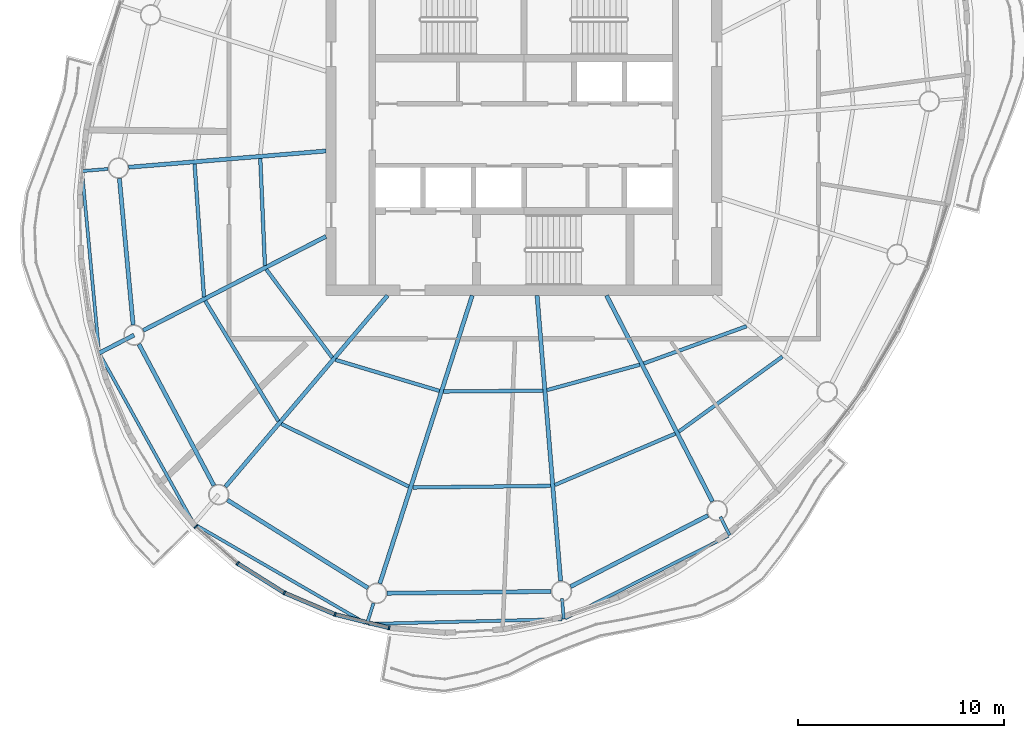
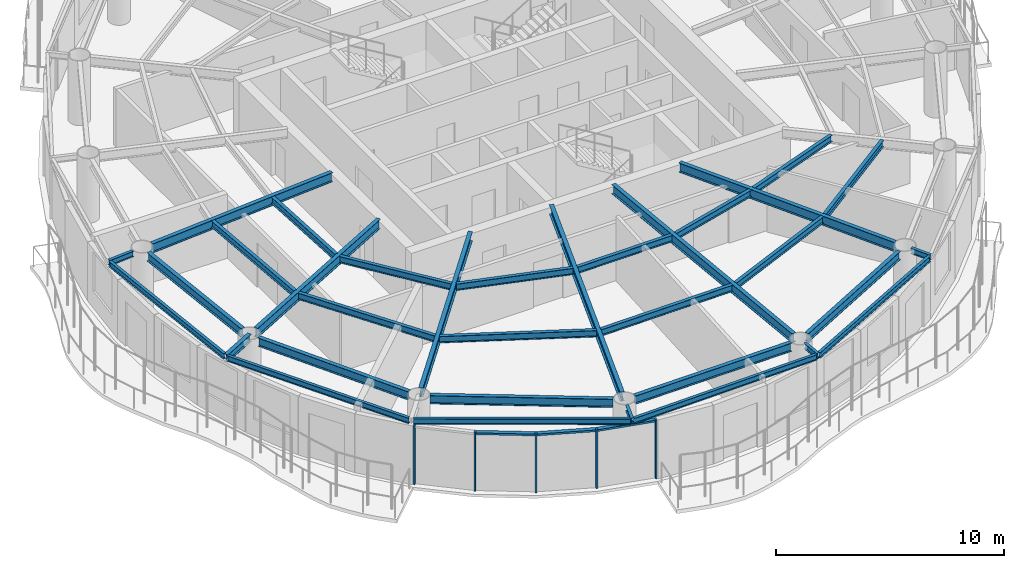
# One storey, part 2 of 13: 33 beams, 8 members, 4 elements without a shape of their own.
"""IFC4 building model written with IfcOpenShell, lengths in metres."""

from ifc_helpers import new_model, si_unit, direction, frame, origin, origin_2d, place, context, subcontext, project, spatial, rectangle, i_section, extrude, material, material_profile, profile_set, type_object, element, aggregate, save


model = new_model("IFC4")

# Units and contexts
model_context = context("Model", 3, precision=1e-05, world=origin(), true_north=direction((0.0, 1.0)))
body_context = subcontext(model_context, "Body", "Model", "MODEL_VIEW")
ifc_project = project(units=[si_unit("LENGTHUNIT", "METRE"), si_unit("AREAUNIT", "SQUARE_METRE"), si_unit("VOLUMEUNIT", "CUBIC_METRE"), si_unit("PLANEANGLEUNIT", "RADIAN"), si_unit("MASSUNIT", "GRAM", prefix="KILO")], contexts=[model_context])

# Site, building, storey
site_placement = place(None, origin())
site = spatial("IfcSite", under=ifc_project, at=site_placement, CompositionType="ELEMENT")
building_placement = place(site_placement, origin())
building = spatial("IfcBuilding", under=site, at=building_placement, Name="Vermilion Reach Broadcast Tower", CompositionType="ELEMENT")
storey_placement = place(building_placement, frame((0.0, 0.0, 282.89990234375)))
storey = spatial("IfcBuildingStorey", under=building, at=storey_placement, Name="L70", CompositionType="ELEMENT", Elevation=282.89990234375)

# Beams
ifc_material_1 = material(Name="Steel S355J2", Category="steel")
ifc_material_profile_1 = material_profile(ifc_material_1, i_section(OverallWidth=0.14990234375, OverallDepth=0.300048828125, WebThickness=0.006591796875, FlangeThickness=0.009033203125, at=origin_2d()), Name="S355J2 HN 300x150x6.5x9")
ifc_profile_set_1 = profile_set([ifc_material_profile_1], Name="Steel S355J2")
beam_type_1 = type_object("IfcBeamType", Name="EB5 HN 300x150x6.5x9", PredefinedType="BEAM", material=ifc_profile_set_1)
beam_1_placement = place(storey_placement, frame((-27.425048828125, -1.840576171875, 3.300048828125), z_axis=(0.093864221335, -0.995585007899, 0.0), x_axis=(0.995585007899, 0.093864221335, 0.0)))
element("IfcBeam", 1, at=beam_1_placement, inside=storey, type_object=beam_type_1, Name="Edge beam EB5-06", PredefinedType="BEAM", context=body_context, shape_type="SweptSolid", body=[
    extrude(i_section(OverallWidth=0.14990234375, OverallDepth=0.300048828125, WebThickness=0.006591796875, FlangeThickness=0.009033203125, at=origin_2d()), origin(), (0.0, 0.0, 1.0), 8.68212890625),
])
beam_2_placement = place(storey_placement, frame((-26.551513671875, -10.678955078125, 3.300048828125), z_axis=(0.485030027465, -0.874497497113, 0.0), x_axis=(0.874497497113, 0.485030027465, 0.0)))
element("IfcBeam", 2, at=beam_2_placement, inside=storey, type_object=beam_type_1, Name="Edge beam EB5-07", PredefinedType="BEAM", context=body_context, shape_type="SweptSolid", body=[
    extrude(i_section(OverallWidth=0.14990234375, OverallDepth=0.300048828125, WebThickness=0.006591796875, FlangeThickness=0.009033203125, at=origin_2d()), origin(), (0.0, 0.0, 1.0), 9.268798828125),
])
beam_3_placement = place(storey_placement, frame((-21.916015625, -18.928955078125, 3.300048828125), z_axis=(0.865591978753, -0.500749963872, 0.0), x_axis=(0.500749963872, 0.865591978753, 0.0)))
element("IfcBeam", 3, at=beam_3_placement, inside=storey, type_object=beam_type_1, Name="Edge beam EB5-08", PredefinedType="BEAM", context=body_context, shape_type="SweptSolid", body=[
    extrude(i_section(OverallWidth=0.14990234375, OverallDepth=0.300048828125, WebThickness=0.006591796875, FlangeThickness=0.009033203125, at=origin_2d()), origin(), (0.0, 0.0, 1.0), 9.513671875),
])
beam_4_placement = place(storey_placement, frame((-13.535400390625, -23.7294921875, 3.300048828125), z_axis=(0.999704417699, 0.024312079998, 0.0), x_axis=(-0.024312079998, 0.999704417699, 0.0)))
element("IfcBeam", 4, at=beam_4_placement, inside=storey, type_object=beam_type_1, Name="Edge beam EB5-09", PredefinedType="BEAM", context=body_context, shape_type="SweptSolid", body=[
    extrude(i_section(OverallWidth=0.14990234375, OverallDepth=0.300048828125, WebThickness=0.006591796875, FlangeThickness=0.009033203125, at=origin_2d()), origin(), (0.0, 0.0, 1.0), 9.399169921875),
])
beam_5_placement = place(storey_placement, frame((-3.99169921875, -23.46240234375, 3.300048828125), z_axis=(0.892141426661, 0.451756211729, 0.0), x_axis=(-0.451756211729, 0.892141426661, 0.0)))
element("IfcBeam", 5, at=beam_5_placement, inside=storey, type_object=beam_type_1, Name="Edge beam EB5-10", PredefinedType="BEAM", context=body_context, shape_type="SweptSolid", body=[
    extrude(i_section(OverallWidth=0.14990234375, OverallDepth=0.300048828125, WebThickness=0.006591796875, FlangeThickness=0.009033203125, at=origin_2d()), origin(), (0.0, 0.0, 1.0), 8.8671875),
])
ifc_material_2 = material(Name="Steel S355J2", Category="steel")
ifc_material_profile_2 = material_profile(ifc_material_2, i_section(OverallWidth=0.199951171875, OverallDepth=0.5, WebThickness=0.010009765625, FlangeThickness=0.01611328125, at=origin_2d()), Name="S355J2 HN 500x200x10x16")
ifc_profile_set_2 = profile_set([ifc_material_profile_2], Name="Steel S355J2")
beam_type_2 = type_object("IfcBeamType", Name="G5 HN 500x200x10x16", PredefinedType="BEAM", material=ifc_profile_set_2)
beam_6_placement = place(storey_placement, frame((-15.60009765625, -0.791015625, 3.2001953125), z_axis=(-0.996624410075, -0.082096195058, 0.0), x_axis=(0.082096195058, -0.996624410075, 0.0)))
element("IfcBeam", 6, at=beam_6_placement, inside=storey, type_object=beam_type_2, Name="Girder G5-06", PredefinedType="BEAM", context=body_context, shape_type="SweptSolid", body=[
    extrude(i_section(OverallWidth=0.199951171875, OverallDepth=0.5, WebThickness=0.010009765625, FlangeThickness=0.01611328125, at=origin_2d()), origin(), (0.0, 0.0, 1.0), 9.599609375),
])
beam_7_placement = place(storey_placement, frame((-15.60009765625, -4.935791015625, 3.2001953125), z_axis=(-0.889332502449, -0.457261085254, 0.0), x_axis=(0.457261085254, -0.889332502449, 0.0)))
element("IfcBeam", 7, at=beam_7_placement, inside=storey, type_object=beam_type_2, Name="Girder G5-07", PredefinedType="BEAM", context=body_context, shape_type="SweptSolid", body=[
    extrude(i_section(OverallWidth=0.199951171875, OverallDepth=0.5, WebThickness=0.010009765625, FlangeThickness=0.01611328125, at=origin_2d()), origin(), (0.0, 0.0, 1.0), 9.96337890625),
])
beam_8_placement = place(storey_placement, frame((-12.612548828125, -7.800048828125, 3.2001953125), z_axis=(-0.646658335602, -0.762779782766, 0.0), x_axis=(0.762779782766, -0.646658335602, 0.0)))
element("IfcBeam", 8, at=beam_8_placement, inside=storey, type_object=beam_type_2, Name="Girder G5-08", PredefinedType="BEAM", context=body_context, shape_type="SweptSolid", body=[
    extrude(i_section(OverallWidth=0.199951171875, OverallDepth=0.5, WebThickness=0.010009765625, FlangeThickness=0.01611328125, at=origin_2d()), origin(), (0.0, 0.0, 1.0), 12.16064453125),
])
beam_9_placement = place(storey_placement, frame((-8.502685546875, -7.800048828125, 3.2001953125), z_axis=(-0.305545401295, -0.952177508528, 0.0), x_axis=(0.952177508528, -0.305545401295, 0.0)))
element("IfcBeam", 9, at=beam_9_placement, inside=storey, type_object=beam_type_2, Name="Girder G5-09", PredefinedType="BEAM", context=body_context, shape_type="SweptSolid", body=[
    extrude(i_section(OverallWidth=0.199951171875, OverallDepth=0.5, WebThickness=0.010009765625, FlangeThickness=0.01611328125, at=origin_2d()), origin(), (0.0, 0.0, 1.0), 14.672607421875),
])
beam_10_placement = place(storey_placement, frame((-5.357421875, -7.800048828125, 3.2001953125), z_axis=(0.082123744247, -0.996622140347, 0.0), x_axis=(0.996622140347, 0.082123744247, 0.0)))
element("IfcBeam", 10, at=beam_10_placement, inside=storey, type_object=beam_type_2, Name="Girder G5-10", PredefinedType="BEAM", context=body_context, shape_type="SweptSolid", body=[
    extrude(i_section(OverallWidth=0.199951171875, OverallDepth=0.5, WebThickness=0.010009765625, FlangeThickness=0.01611328125, at=origin_2d()), origin(), (0.0, 0.0, 1.0), 13.89794921875),
])
beam_11_placement = place(storey_placement, frame((-1.989501953125, -7.800048828125, 3.2001953125), z_axis=(0.457258168112, -0.889334002327, 0.0), x_axis=(0.889334002327, 0.457258168112, 0.0)))
element("IfcBeam", 11, at=beam_11_placement, inside=storey, type_object=beam_type_2, Name="Girder G5-11", PredefinedType="BEAM", context=body_context, shape_type="SweptSolid", body=[
    extrude(i_section(OverallWidth=0.199951171875, OverallDepth=0.5, WebThickness=0.010009765625, FlangeThickness=0.01611328125, at=origin_2d()), origin(), (0.0, 0.0, 1.0), 11.236328125),
])
ifc_material_3 = material(Name="Steel S355J2", Category="steel")
ifc_material_profile_3 = material_profile(ifc_material_3, i_section(OverallWidth=0.199951171875, OverallDepth=0.39990234375, WebThickness=0.008056640625, FlangeThickness=0.012939453125, at=origin_2d()), Name="S355J2 HN 400x200x8x13")
ifc_profile_set_3 = profile_set([ifc_material_profile_3], Name="Steel S355J2")
beam_type_3 = type_object("IfcBeamType", Name="GC5 HN 400x200x8x13", PredefinedType="BEAM", material=ifc_profile_set_3)
beam_12_placement = place(storey_placement, frame((-24.905517578125, -9.72021484375, 3.25), z_axis=(-0.88932204394, -0.457281425561, 0.0), x_axis=(0.457281425561, -0.88932204394, 0.0)))
element("IfcBeam", 12, at=beam_12_placement, inside=storey, type_object=beam_type_3, Name="Cantilever girder GC5-07", PredefinedType="BEAM", context=body_context, shape_type="SweptSolid", body=[
    extrude(i_section(OverallWidth=0.199951171875, OverallDepth=0.39990234375, WebThickness=0.008056640625, FlangeThickness=0.012939453125, at=origin_2d()), origin(), (0.0, 0.0, 1.0), 1.905517578125),
])
ifc_material_4 = material(Name="Steel S355J2", Category="steel")
ifc_material_profile_4 = material_profile(ifc_material_4, i_section(OverallWidth=0.14990234375, OverallDepth=0.300048828125, WebThickness=0.006591796875, FlangeThickness=0.009033203125, at=origin_2d()), Name="S355J2 HN 300x150x6.5x9")
ifc_profile_set_4 = profile_set([ifc_material_profile_4], Name="Steel S355J2")
beam_type_4 = type_object("IfcBeamType", Name="GS5 HN 300x150x6.5x9", PredefinedType="BEAM", material=ifc_profile_set_4)
beam_13_placement = place(storey_placement, frame((-26.1640625, -1.661376953125, 3.300048828125), z_axis=(-0.996622084431, -0.082124422822, 0.0), x_axis=(0.082124422822, -0.996622084431, 0.0)))
element("IfcBeam", 13, at=beam_13_placement, inside=storey, type_object=beam_type_4, Name="Cantilever stub GS5-06", PredefinedType="BEAM", context=body_context, shape_type="SweptSolid", body=[
    extrude(i_section(OverallWidth=0.14990234375, OverallDepth=0.300048828125, WebThickness=0.006591796875, FlangeThickness=0.009033203125, at=origin_2d()), origin(), (0.0, 0.0, 1.0), 1.2724609375),
])
beam_14_placement = place(storey_placement, frame((-13.291259765625, -22.72314453125, 3.300048828125), z_axis=(-0.305486718402, -0.952196337359, 0.0), x_axis=(0.952196337359, -0.305486718402, 0.0)))
element("IfcBeam", 14, at=beam_14_placement, inside=storey, type_object=beam_type_4, Name="Cantilever stub GS5-09", PredefinedType="BEAM", context=body_context, shape_type="SweptSolid", body=[
    extrude(i_section(OverallWidth=0.14990234375, OverallDepth=0.300048828125, WebThickness=0.006591796875, FlangeThickness=0.009033203125, at=origin_2d()), origin(), (0.0, 0.0, 1.0), 1.058837890625),
])
for number, where, z_axis, x_axis, name in (
    (15, (-4.14599609375, -22.50244140625, 3.300048828125), (0.082035152054, -0.996629436565, 0.0), (0.996629436565, 0.082035152054, 0.0), "Cantilever stub GS5-10"),
    (16, (3.529052734375, -18.533447265625, 3.300048828125), (0.457243204998, -0.889341695572, 0.0), (0.889341695572, 0.457243204998, 0.0), "Cantilever stub GS5-11"),
):
    element("IfcBeam", number, at=place(storey_placement, frame(where, z_axis=z_axis, x_axis=x_axis)), inside=storey, type_object=beam_type_4, Name=name, PredefinedType="BEAM", context=body_context, shape_type="SweptSolid", body=[
        extrude(i_section(OverallWidth=0.14990234375, OverallDepth=0.300048828125, WebThickness=0.006591796875, FlangeThickness=0.009033203125, at=origin_2d()), origin(), (0.0, 0.0, 1.0), 1.0),
    ])
ifc_material_5 = material(Name="Steel S355J2", Category="steel")
ifc_material_profile_5 = material_profile(ifc_material_5, i_section(OverallWidth=0.199951171875, OverallDepth=0.449951171875, WebThickness=0.009033203125, FlangeThickness=0.013916015625, at=origin_2d()), Name="S355J2 HN 450x200x9x14")
ifc_profile_set_5 = profile_set([ifc_material_profile_5], Name="Steel S355J2")
beam_type_5 = type_object("IfcBeamType", Name="RB5 HN 450x200x9x14", PredefinedType="BEAM", material=ifc_profile_set_5)
beam_15_placement = place(storey_placement, frame((-25.618896484375, -2.1181640625, 3.22509765625), z_axis=(0.093441399272, -0.995624781181, 0.0), x_axis=(0.995624781181, 0.093441399272, 0.0)))
element("IfcBeam", 17, at=beam_15_placement, inside=storey, type_object=beam_type_5, Name="Ring beam RB5-06", PredefinedType="BEAM", context=body_context, shape_type="SweptSolid", body=[
    extrude(i_section(OverallWidth=0.199951171875, OverallDepth=0.449951171875, WebThickness=0.009033203125, FlangeThickness=0.013916015625, at=origin_2d()), origin(), (0.0, 0.0, 1.0), 7.135498046875),
])
beam_16_placement = place(storey_placement, frame((-24.671142578125, -10.161865234375, 3.22509765625), z_axis=(0.468767917375, -0.883321368269, 0.0), x_axis=(0.883321368269, 0.468767917375, 0.0)))
element("IfcBeam", 18, at=beam_16_placement, inside=storey, type_object=beam_type_5, Name="Ring beam RB5-07", PredefinedType="BEAM", context=body_context, shape_type="SweptSolid", body=[
    extrude(i_section(OverallWidth=0.199951171875, OverallDepth=0.449951171875, WebThickness=0.009033203125, FlangeThickness=0.013916015625, at=origin_2d()), origin(), (0.0, 0.0, 1.0), 7.759033203125),
])
beam_17_placement = place(storey_placement, frame((-20.375732421875, -17.722412109375, 3.22509765625), z_axis=(0.847914653245, -0.530132757724, 0.0), x_axis=(0.530132757724, 0.847914653245, 0.0)))
element("IfcBeam", 19, at=beam_17_placement, inside=storey, type_object=beam_type_5, Name="Ring beam RB5-08", PredefinedType="BEAM", context=body_context, shape_type="SweptSolid", body=[
    extrude(i_section(OverallWidth=0.199951171875, OverallDepth=0.449951171875, WebThickness=0.009033203125, FlangeThickness=0.013916015625, at=origin_2d()), origin(), (0.0, 0.0, 1.0), 8.035400390625),
])
beam_18_placement = place(storey_placement, frame((-12.638427734375, -22.24169921875, 3.22509765625), z_axis=(0.999940445231, 0.010913569149, 0.0), x_axis=(-0.010913569149, 0.999940445231, 0.0)))
element("IfcBeam", 20, at=beam_18_placement, inside=storey, type_object=beam_type_5, Name="Ring beam RB5-09", PredefinedType="BEAM", context=body_context, shape_type="SweptSolid", body=[
    extrude(i_section(OverallWidth=0.199951171875, OverallDepth=0.449951171875, WebThickness=0.009033203125, FlangeThickness=0.013916015625, at=origin_2d()), origin(), (0.0, 0.0, 1.0), 7.9638671875),
])
beam_19_placement = place(storey_placement, frame((-3.731201171875, -21.91943359375, 3.22509765625), z_axis=(0.887960248279, 0.459920207729, 0.0), x_axis=(-0.459920207729, 0.887960248279, 0.0)))
element("IfcBeam", 21, at=beam_19_placement, inside=storey, type_object=beam_type_5, Name="Ring beam RB5-10", PredefinedType="BEAM", context=body_context, shape_type="SweptSolid", body=[
    extrude(i_section(OverallWidth=0.199951171875, OverallDepth=0.449951171875, WebThickness=0.009033203125, FlangeThickness=0.013916015625, at=origin_2d()), origin(), (0.0, 0.0, 1.0), 7.5048828125),
])
ifc_material_6 = material(Name="Steel S355J2", Category="steel")
ifc_material_profile_6 = material_profile(ifc_material_6, i_section(OverallWidth=0.175048828125, OverallDepth=0.35009765625, WebThickness=0.007080078125, FlangeThickness=0.010986328125, at=origin_2d()), Name="S355J2 HN 350x175x7x11")
ifc_profile_set_6 = profile_set([ifc_material_profile_6], Name="Steel S355J2")
beam_type_6 = type_object("IfcBeamType", Name="SB5 HN 350x175x7x11", PredefinedType="BEAM", material=ifc_profile_set_6)
beam_20_placement = place(storey_placement, frame((-18.78466796875, -1.153564453125, 3.275146484375), z_axis=(0.043557530017, -0.999050920413, 0.0), x_axis=(0.999050920413, 0.043557530017, 0.0)))
element("IfcBeam", 22, at=beam_20_placement, inside=storey, type_object=beam_type_6, Name="Secondary beam SB5-06-1", PredefinedType="BEAM", context=body_context, shape_type="SweptSolid", body=[
    extrude(i_section(OverallWidth=0.175048828125, OverallDepth=0.35009765625, WebThickness=0.007080078125, FlangeThickness=0.010986328125, at=origin_2d()), origin(), (0.0, 0.0, 1.0), 5.19580078125),
])
beam_21_placement = place(storey_placement, frame((-21.97119140625, -1.416259765625, 3.275146484375), z_axis=(0.070586780458, -0.997505642302, 0.0), x_axis=(0.997505642302, 0.070586780458, 0.0)))
element("IfcBeam", 23, at=beam_21_placement, inside=storey, type_object=beam_type_6, Name="Secondary beam SB5-06-2", PredefinedType="BEAM", context=body_context, shape_type="SweptSolid", body=[
    extrude(i_section(OverallWidth=0.175048828125, OverallDepth=0.35009765625, WebThickness=0.007080078125, FlangeThickness=0.010986328125, at=origin_2d()), origin(), (0.0, 0.0, 1.0), 6.46435546875),
])
beam_22_placement = place(storey_placement, frame((-18.492919921875, -6.53564453125, 3.275146484375), z_axis=(0.599055582645, -0.800707442767, 0.0), x_axis=(0.800707442767, 0.599055582645, 0.0)))
element("IfcBeam", 24, at=beam_22_placement, inside=storey, type_object=beam_type_6, Name="Secondary beam SB5-07-1", PredefinedType="BEAM", context=body_context, shape_type="SweptSolid", body=[
    extrude(i_section(OverallWidth=0.175048828125, OverallDepth=0.35009765625, WebThickness=0.007080078125, FlangeThickness=0.010986328125, at=origin_2d()), origin(), (0.0, 0.0, 1.0), 5.337890625),
])
beam_23_placement = place(storey_placement, frame((-21.455078125, -8.058837890625, 3.275146484375), z_axis=(0.519272962556, -0.854608442714, 0.0), x_axis=(0.854608442714, 0.519272962556, 0.0)))
element("IfcBeam", 25, at=beam_23_placement, inside=storey, type_object=beam_type_6, Name="Secondary beam SB5-07-2", PredefinedType="BEAM", context=body_context, shape_type="SweptSolid", body=[
    extrude(i_section(OverallWidth=0.175048828125, OverallDepth=0.35009765625, WebThickness=0.007080078125, FlangeThickness=0.010986328125, at=origin_2d()), origin(), (0.0, 0.0, 1.0), 6.82763671875),
])
beam_24_placement = place(storey_placement, frame((-15.129150390625, -10.92333984375, 3.275146484375), z_axis=(0.958124906971, -0.286350593925, 0.0), x_axis=(0.286350593925, 0.958124906971, 0.0)))
element("IfcBeam", 26, at=beam_24_placement, inside=storey, type_object=beam_type_6, Name="Secondary beam SB5-08-1", PredefinedType="BEAM", context=body_context, shape_type="SweptSolid", body=[
    extrude(i_section(OverallWidth=0.175048828125, OverallDepth=0.35009765625, WebThickness=0.007080078125, FlangeThickness=0.010986328125, at=origin_2d()), origin(), (0.0, 0.0, 1.0), 5.25634765625),
])
beam_25_placement = place(storey_placement, frame((-17.762451171875, -14.029541015625, 3.275146484375), z_axis=(0.897335928087, -0.441348198325, 0.0), x_axis=(0.441348198325, 0.897335928087, 0.0)))
element("IfcBeam", 27, at=beam_25_placement, inside=storey, type_object=beam_type_6, Name="Secondary beam SB5-08-2", PredefinedType="BEAM", context=body_context, shape_type="SweptSolid", body=[
    extrude(i_section(OverallWidth=0.175048828125, OverallDepth=0.35009765625, WebThickness=0.007080078125, FlangeThickness=0.010986328125, at=origin_2d()), origin(), (0.0, 0.0, 1.0), 6.887451171875),
])
beam_26_placement = place(storey_placement, frame((-9.891845703125, -12.4560546875, 3.275146484375), z_axis=(0.999968312294, 0.007960804474, 0.0), x_axis=(-0.007960804474, 0.999968312294, 0.0)))
element("IfcBeam", 28, at=beam_26_placement, inside=storey, type_object=beam_type_6, Name="Secondary beam SB5-09-1", PredefinedType="BEAM", context=body_context, shape_type="SweptSolid", body=[
    extrude(i_section(OverallWidth=0.175048828125, OverallDepth=0.35009765625, WebThickness=0.007080078125, FlangeThickness=0.010986328125, at=origin_2d()), origin(), (0.0, 0.0, 1.0), 4.81494140625),
])
beam_27_placement = place(storey_placement, frame((-11.385986328125, -17.11279296875, 3.275146484375), z_axis=(0.999932654133, 0.011605481368, 0.0), x_axis=(-0.011605481368, 0.999932654133, 0.0)))
element("IfcBeam", 29, at=beam_27_placement, inside=storey, type_object=beam_type_6, Name="Secondary beam SB5-09-2", PredefinedType="BEAM", context=body_context, shape_type="SweptSolid", body=[
    extrude(i_section(OverallWidth=0.175048828125, OverallDepth=0.35009765625, WebThickness=0.007080078125, FlangeThickness=0.010986328125, at=origin_2d()), origin(), (0.0, 0.0, 1.0), 6.689697265625),
])
beam_28_placement = place(storey_placement, frame((-4.87890625, -12.39013671875, 3.275146484375), z_axis=(0.964547496851, 0.263909314573, 0.0), x_axis=(-0.263909314573, 0.964547496851, 0.0)))
element("IfcBeam", 30, at=beam_28_placement, inside=storey, type_object=beam_type_6, Name="Secondary beam SB5-10-1", PredefinedType="BEAM", context=body_context, shape_type="SweptSolid", body=[
    extrude(i_section(OverallWidth=0.175048828125, OverallDepth=0.35009765625, WebThickness=0.007080078125, FlangeThickness=0.010986328125, at=origin_2d()), origin(), (0.0, 0.0, 1.0), 4.6689453125),
])
beam_29_placement = place(storey_placement, frame((-4.49951171875, -16.99267578125, 3.275146484375), z_axis=(0.919880986172, 0.392197617637, 0.0), x_axis=(-0.392197617637, 0.919880986172, 0.0)))
element("IfcBeam", 31, at=beam_29_placement, inside=storey, type_object=beam_type_6, Name="Secondary beam SB5-10-2", PredefinedType="BEAM", context=body_context, shape_type="SweptSolid", body=[
    extrude(i_section(OverallWidth=0.175048828125, OverallDepth=0.35009765625, WebThickness=0.007080078125, FlangeThickness=0.010986328125, at=origin_2d()), origin(), (0.0, 0.0, 1.0), 6.351806640625),
])
beam_30_placement = place(storey_placement, frame((-0.18212890625, -11.0966796875, 3.275146484375), z_axis=(0.940220108875, 0.340567389613, 0.0), x_axis=(-0.340567389613, 0.940220108875, 0.0)))
element("IfcBeam", 32, at=beam_30_placement, inside=storey, type_object=beam_type_6, Name="Secondary beam SB5-11-1", PredefinedType="BEAM", context=body_context, shape_type="SweptSolid", body=[
    extrude(i_section(OverallWidth=0.175048828125, OverallDepth=0.35009765625, WebThickness=0.007080078125, FlangeThickness=0.010986328125, at=origin_2d()), origin(), (0.0, 0.0, 1.0), 5.303466796875),
])
beam_31_placement = place(storey_placement, frame((1.517578125, -14.402587890625, 3.275146484375), z_axis=(0.809771251518, 0.586745703192, 0.0), x_axis=(-0.586745703192, 0.809771251518, 0.0)))
element("IfcBeam", 33, at=beam_31_placement, inside=storey, type_object=beam_type_6, Name="Secondary beam SB5-11-2", PredefinedType="BEAM", context=body_context, shape_type="SweptSolid", body=[
    extrude(i_section(OverallWidth=0.175048828125, OverallDepth=0.35009765625, WebThickness=0.007080078125, FlangeThickness=0.010986328125, at=origin_2d()), origin(), (0.0, 0.0, 1.0), 6.20361328125),
])

# Curtain wall, member
ifc_material_7 = material(Name="Low-e laminated clear glass in aluminium frame", Category="aluminium")
curtain_wall_type = type_object("IfcCurtainWallType", Name="Slot curtain wall", PredefinedType="NOTDEFINED", material=ifc_material_7)
placement = place(storey_placement, origin())
curtain_wall_1 = element("IfcCurtainWall", 34, at=placement, inside=storey, type_object=curtain_wall_type, Name="Slot curtain wall L70 22", PredefinedType="NOTDEFINED")
ifc_material_8 = material(Name="Anodised aluminium", Category="aluminium")
ifc_material_profile_7 = material_profile(ifc_material_8, rectangle(XDim=0.199951171875, YDim=0.080078125, at=origin_2d()), Name="Slot mullion 80 x 200")
ifc_profile_set_7 = profile_set([ifc_material_profile_7], Name="Anodised aluminium")
member_type_1 = type_object("IfcMemberType", Name="Slot mullion 80 x 200", PredefinedType="MULLION", material=ifc_profile_set_7)
member_1_placement = place(storey_placement, frame((-21.910400390625, -19.0185546875, 0.0), z_axis=(0.0, 0.0, 1.0), x_axis=(0.715369626515, 0.698746232519, 0.0)))
member_1 = element("IfcMember", 35, at=member_1_placement, type_object=member_type_1, Name="Slot mullion L70 22", PredefinedType="MULLION", context=body_context, shape_type="SweptSolid", body=[
    extrude(rectangle(XDim=0.199951171875, YDim=0.080078125, at=origin_2d()), origin(), (0.0, 0.0, 1.0), 3.150146484375),
])
aggregate(curtain_wall_1, [member_1])

curtain_wall_2 = element("IfcCurtainWall", 36, at=placement, inside=storey, type_object=curtain_wall_type, Name="Slot curtain wall L70 23", PredefinedType="NOTDEFINED")
member_2_placement = place(storey_placement, frame((-19.881591796875, -20.797607421875, 0.0), z_axis=(0.0, 0.0, 1.0), x_axis=(0.597749943963, 0.801682608326, 0.0)))
member_2 = element("IfcMember", 37, at=member_2_placement, type_object=member_type_1, Name="Slot mullion L70 23", PredefinedType="MULLION", context=body_context, shape_type="SweptSolid", body=[
    extrude(rectangle(XDim=0.199951171875, YDim=0.080078125, at=origin_2d()), origin(), (0.0, 0.0, 1.0), 3.150146484375),
])

curtain_wall_3 = element("IfcCurtainWall", 38, at=placement, inside=storey, type_object=curtain_wall_type, Name="Slot curtain wall L70 24", PredefinedType="NOTDEFINED")
member_3_placement = place(storey_placement, frame((-17.617431640625, -22.221923828125, 0.0), z_axis=(0.0, 0.0, 1.0), x_axis=(0.46329604191, 0.886203575681, 0.0)))
member_3 = element("IfcMember", 39, at=member_3_placement, type_object=member_type_1, Name="Slot mullion L70 24", PredefinedType="MULLION", context=body_context, shape_type="SweptSolid", body=[
    extrude(rectangle(XDim=0.199951171875, YDim=0.080078125, at=origin_2d()), origin(), (0.0, 0.0, 1.0), 3.150146484375),
])

# Curtain wall, members
curtain_wall_4 = element("IfcCurtainWall", 40, at=placement, inside=storey, type_object=curtain_wall_type, Name="Slot curtain wall L70 25", PredefinedType="NOTDEFINED")
member_4_placement = place(storey_placement, frame((-15.155517578125, -23.268310546875, 0.0), z_axis=(0.0, 0.0, 1.0), x_axis=(0.317157061066, 0.948373027145, 0.0)))
member_4 = element("IfcMember", 41, at=member_4_placement, type_object=member_type_1, Name="Slot mullion L70 25", PredefinedType="MULLION", context=body_context, shape_type="SweptSolid", body=[
    extrude(rectangle(XDim=0.199951171875, YDim=0.080078125, at=origin_2d()), origin(), (0.0, 0.0, 1.0), 3.150146484375),
])
member_5_placement = place(storey_placement, frame((-12.536865234375, -23.9189453125, 0.0), z_axis=(0.0, 0.0, 1.0), x_axis=(0.16550378976, 0.986209154072, 0.0)))
member_5 = element("IfcMember", 42, at=member_5_placement, type_object=member_type_1, Name="Slot mullion L70 26", PredefinedType="MULLION", context=body_context, shape_type="SweptSolid", body=[
    extrude(rectangle(XDim=0.199951171875, YDim=0.080078125, at=origin_2d()), origin(), (0.0, 0.0, 1.0), 3.150146484375),
])

# Member
ifc_material_9 = material(Name="Anodised aluminium", Category="aluminium")
ifc_material_profile_8 = material_profile(ifc_material_9, rectangle(XDim=0.199951171875, YDim=0.10009765625, at=origin_2d()), Name="Slot transom 200 x 100")
ifc_profile_set_8 = profile_set([ifc_material_profile_8], Name="Anodised aluminium")
member_type_2 = type_object("IfcMemberType", Name="Slot transom 200 x 100", PredefinedType="USERDEFINED", material=ifc_profile_set_8)
member_6_placement = place(storey_placement, frame((-19.84765625, -20.81884765625, 3.10009765625), z_axis=(0.846435447708, -0.532491345341, 0.0), x_axis=(0.532491345341, 0.846435447708, 0.0)))
member_6 = element("IfcMember", 43, at=member_6_placement, type_object=member_type_2, Name="Slot transom L70 23.1", ObjectType="TRANSOM", PredefinedType="USERDEFINED", context=body_context, shape_type="SweptSolid", body=[
    extrude(rectangle(XDim=0.199951171875, YDim=0.10009765625, at=origin_2d()), origin(), (0.0, 0.0, 1.0), 2.594970703125),
])

aggregate(curtain_wall_2, [member_2, member_6])

member_7_placement = place(storey_placement, frame((-17.58056640625, -22.237548828125, 3.10009765625), z_axis=(0.92032329876, -0.391158568562, 0.0), x_axis=(0.391158568562, 0.92032329876, 0.0)))
member_7 = element("IfcMember", 44, at=member_7_placement, type_object=member_type_2, Name="Slot transom L70 24.1", ObjectType="TRANSOM", PredefinedType="USERDEFINED", context=body_context, shape_type="SweptSolid", body=[
    extrude(rectangle(XDim=0.199951171875, YDim=0.10009765625, at=origin_2d()), origin(), (0.0, 0.0, 1.0), 2.59521484375),
])

aggregate(curtain_wall_3, [member_3, member_7])

member_8_placement = place(storey_placement, frame((-15.11669921875, -23.27783203125, 3.10009765625), z_axis=(0.970470699179, -0.241219033318, 0.0), x_axis=(0.241219033318, 0.970470699179, 0.0)))
member_8 = element("IfcMember", 45, at=member_8_placement, type_object=member_type_2, Name="Slot transom L70 25.1", ObjectType="TRANSOM", PredefinedType="USERDEFINED", context=body_context, shape_type="SweptSolid", body=[
    extrude(rectangle(XDim=0.199951171875, YDim=0.10009765625, at=origin_2d()), origin(), (0.0, 0.0, 1.0), 2.618408203125),
])

aggregate(curtain_wall_4, [member_4, member_5, member_8])

save(model, "model.ifc")
